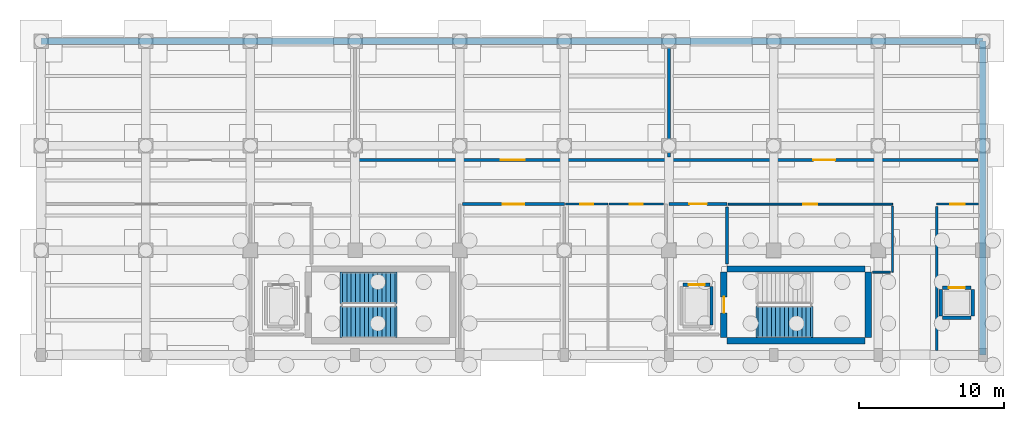
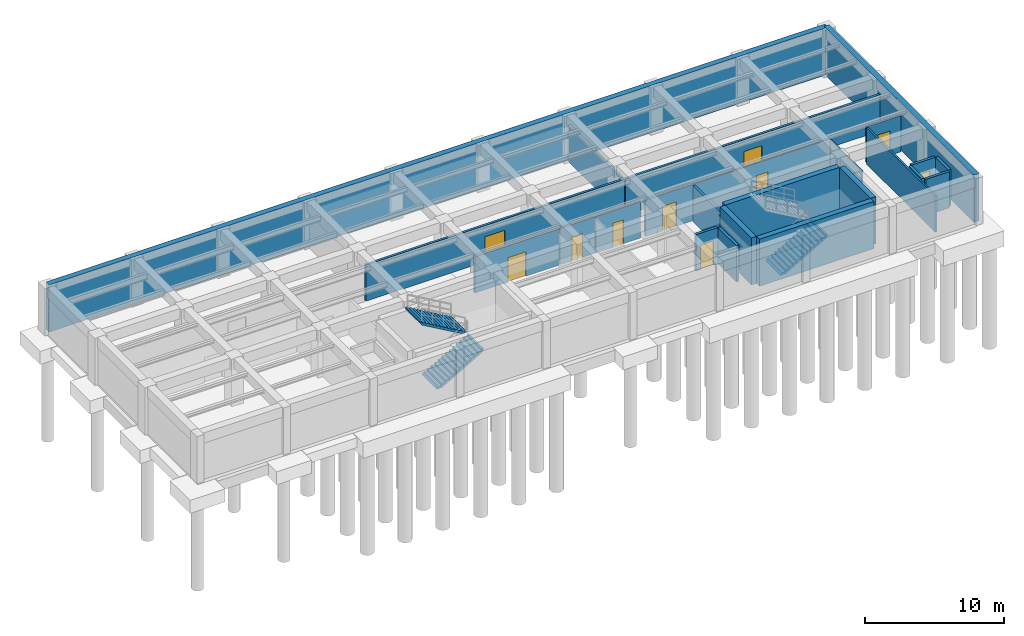
# One storey, part 4 of 8: 25 walls, 11 doors, 3 stair flights, 11 openings, 2 elements without a shape of their own.
"""IFC4 building model written with IfcOpenShell, lengths in metres."""

from ifc_helpers import new_model, si_unit, direction, frame, frame_2d, origin, place, context, subcontext, project, spatial, polyline, rectangle, outline, extrude, material, layer, layer_set, type_object, element, fill, aggregate, save


model = new_model("IFC4")

# Units and contexts
model_context = context("Model", 3, precision=1e-05, world=origin(), true_north=direction((0.0, 1.0)))
body_context = subcontext(model_context, "Body", "Model", "MODEL_VIEW")
ifc_project = project(units=[si_unit("LENGTHUNIT", "METRE"), si_unit("AREAUNIT", "SQUARE_METRE"), si_unit("VOLUMEUNIT", "CUBIC_METRE"), si_unit("PLANEANGLEUNIT", "RADIAN"), si_unit("MASSUNIT", "GRAM", prefix="KILO")], contexts=[model_context])

# Site, building, storey
site_placement = place(None, origin())
site = spatial("IfcSite", under=ifc_project, at=site_placement, CompositionType="ELEMENT")
building_placement = place(site_placement, origin())
building = spatial("IfcBuilding", under=site, at=building_placement, Name="Solenvale Faculty of Natural Sciences", CompositionType="ELEMENT")
storey_placement = place(building_placement, frame((0.0, 0.0, -9.0)))
storey = spatial("IfcBuildingStorey", under=building, at=storey_placement, Name="B02", CompositionType="ELEMENT", Elevation=-9.0)

# Wall, opening, door
ifc_material_1 = material(Name="Gypsum fire-rated shaftwall")
ifc_layer_1 = layer(ifc_material_1, 0.205078125)
ifc_layer_set_1 = layer_set([ifc_layer_1], Name="Gypsum fire-rated shaftwall")
wall_type_1 = type_object("IfcWallType", Name="WL-FFL-205", PredefinedType="PARTITIONING", material=ifc_layer_set_1)
wall_1_placement = place(storey_placement, frame((129.616943359375, 104.0, 0.0), z_axis=(0.0, 0.0, 1.0), x_axis=(1.0, 0.0, 0.0)))
wall_1 = element("IfcWall", 1, at=wall_1_placement, inside=storey, type_object=wall_type_1, Name="B02 Firefighting Lobby C5 Partition 2", PredefinedType="PARTITIONING", context=body_context, shape_type="SweptSolid", body=[
    extrude(rectangle(XDim=3.983154296875, YDim=0.205078125, at=frame_2d((1.99169921875, 0.0))), origin(), (0.0, 0.0, 1.0), 3.18994140625),
])
opening_1_placement = place(wall_1_placement, frame((1.39208984375, 0.0, 0.0)))
opening_1 = element("IfcOpeningElement", 2, at=opening_1_placement, cuts=wall_1, Name="Opening D-B02-02", PredefinedType="OPENING", context=body_context, shape_type="SweptSolid", body=[
    extrude(rectangle(XDim=1.199951171875, YDim=2.14990234375, at=frame_2d((0.60009765625, 1.074951171875))), frame((0.0, 0.112548828125, 0.0), z_axis=(0.0, -1.0, 0.0), x_axis=(1.0, 0.0, 0.0)), (0.0, 0.0, 1.0), 0.22509765625),
])
ifc_material_2 = material(Name="Galvanised steel S355", Category="steel")
door_type_1 = type_object("IfcDoorType", Name="DR-FFL-1200x2150", OperationType="NOTDEFINED", PredefinedType="DOOR", material=ifc_material_2)
door_1_placement = place(opening_1_placement, origin())
door_1 = element("IfcDoor", 3, at=door_1_placement, inside=storey, type_object=door_type_1, Name="B02 Firefighting Lobby C5 Door", OperationType="SINGLE_SWING_LEFT", OverallHeight=2.14990234375, OverallWidth=1.199951171875, PredefinedType="DOOR", context=body_context, shape_type="SweptSolid", body=[
    extrude(rectangle(XDim=1.199951171875, YDim=2.14990234375, at=frame_2d((0.60009765625, 1.074951171875))), frame((0.0, 0.02490234375, 0.0), z_axis=(0.0, -1.0, 0.0), x_axis=(1.0, 0.0, 0.0)), (0.0, 0.0, 1.0), 0.050048828125),
])
fill(opening_1, door_1)

# Wall
wall_2_placement = place(storey_placement, frame((133.60009765625, 103.782958984375, 0.0), z_axis=(0.0, 0.0, 1.0), x_axis=(0.0, -1.0, 0.0)))
element("IfcWall", 4, at=wall_2_placement, inside=storey, type_object=wall_type_1, Name="B02 Firefighting Lobby C5 Partition 3", PredefinedType="PARTITIONING", context=body_context, shape_type="SweptSolid", body=[
    extrude(rectangle(XDim=3.927978515625, YDim=0.205078125, at=frame_2d((1.9638671875, 0.0))), origin(), (0.0, 0.0, 1.0), 3.18994140625),
])

# Wall, opening, door
ifc_material_3 = material(Name="Acoustic stud gypsum partition")
ifc_layer_2 = layer(ifc_material_3, 0.132080078125)
ifc_layer_set_2 = layer_set([ifc_layer_2], Name="Acoustic stud gypsum partition")
wall_type_2 = type_object("IfcWallType", Name="WL-OFF-132", PredefinedType="PARTITIONING", material=ifc_layer_set_2)
wall_3_placement = place(storey_placement, frame((133.677978515625, 103.97998046875, 0.0), z_axis=(0.0, 0.0, 1.0), x_axis=(1.0, 0.0, 0.0)))
wall_3 = element("IfcWall", 5, at=wall_3_placement, inside=storey, type_object=wall_type_2, Name="B02 Building Electrical and Telecom Closet Partition 19", PredefinedType="PARTITIONING", context=body_context, shape_type="SweptSolid", body=[
    extrude(rectangle(XDim=11.302001953125, YDim=0.132080078125, at=frame_2d((5.65087890625, 0.0))), origin(), (0.0, 0.0, 1.0), 3.18994140625),
])
opening_2_placement = place(wall_3_placement, frame((5.1708984375, 0.0, 0.0)))
opening_2 = element("IfcOpeningElement", 6, at=opening_2_placement, cuts=wall_3, Name="Opening D-B02-10", PredefinedType="OPENING", context=body_context, shape_type="SweptSolid", body=[
    extrude(rectangle(XDim=0.9599609375, YDim=2.10009765625, at=frame_2d((0.47998046875, 1.050048828125))), frame((0.0, 0.075927734375, 0.0), z_axis=(0.0, -1.0, 0.0), x_axis=(1.0, 0.0, 0.0)), (0.0, 0.0, 1.0), 0.152099609375),
])
ifc_material_4 = material(Name="Oak acoustic timber leaf", Category="wood")
door_type_2 = type_object("IfcDoorType", Name="DR-OFF-0960x2100", OperationType="NOTDEFINED", PredefinedType="DOOR", material=ifc_material_4)
door_2_placement = place(opening_2_placement, origin())
door_2 = element("IfcDoor", 7, at=door_2_placement, inside=storey, type_object=door_type_2, Name="B02 Building Electrical and Telecom Closet Door", OperationType="SINGLE_SWING_LEFT", OverallHeight=2.10009765625, OverallWidth=0.9599609375, PredefinedType="DOOR", context=body_context, shape_type="SweptSolid", body=[
    extrude(rectangle(XDim=0.9599609375, YDim=2.10009765625, at=frame_2d((0.47998046875, 1.050048828125))), frame((0.0, 0.02490234375, 0.0), z_axis=(0.0, -1.0, 0.0), x_axis=(1.0, 0.0, 0.0)), (0.0, 0.0, 1.0), 0.050048828125),
])
fill(opening_2, door_2)

# Walls
wall_4_placement = place(storey_placement, frame((144.97998046875, 103.8359375, 0.0), z_axis=(0.0, 0.0, 1.0), x_axis=(0.0, -1.0, 0.0)))
element("IfcWall", 8, at=wall_4_placement, inside=storey, type_object=wall_type_2, Name="B02 Building Electrical and Telecom Closet Partition 20", PredefinedType="PARTITIONING", context=body_context, shape_type="SweptSolid", body=[
    extrude(rectangle(XDim=4.535888671875, YDim=0.132080078125, at=frame_2d((2.26806640625, 0.0))), origin(), (0.0, 0.0, 1.0), 3.18994140625),
])
wall_5_placement = place(storey_placement, frame((144.8359375, 99.300048828125, 0.0), z_axis=(0.0, 0.0, 1.0), x_axis=(-1.0, 0.0, 0.0)))
element("IfcWall", 9, at=wall_5_placement, inside=storey, type_object=wall_type_2, Name="B02 Building Electrical and Telecom Closet Partition 21", PredefinedType="PARTITIONING", context=body_context, shape_type="SweptSolid", body=[
    extrude(rectangle(XDim=1.218017578125, YDim=0.132080078125, at=frame_2d((0.60888671875, 0.0))), origin(), (0.0, 0.0, 1.0), 3.18994140625),
])

# Wall, opening, door
ifc_layer_3 = layer(ifc_material_3, 0.14794921875)
ifc_layer_set_3 = layer_set([ifc_layer_3], Name="Acoustic stud gypsum partition")
wall_type_3 = type_object("IfcWallType", Name="WL-OFF-148", PredefinedType="PARTITIONING", material=ifc_layer_set_3)
wall_6_placement = place(storey_placement, frame((148.02001953125, 103.97998046875, 0.0), z_axis=(0.0, 0.0, 1.0), x_axis=(1.0, 0.0, 0.0)))
wall_6 = element("IfcWall", 10, at=wall_6_placement, inside=storey, type_object=wall_type_3, Name="B02 Elevator Lobby Partition 1", PredefinedType="PARTITIONING", context=body_context, shape_type="SweptSolid", body=[
    extrude(rectangle(XDim=2.868896484375, YDim=0.14794921875, at=frame_2d((1.4345703125, 0.0))), origin(), (0.0, 0.0, 1.0), 3.18994140625),
])
opening_3_placement = place(wall_6_placement, frame((0.924072265625, 0.0, 0.0)))
opening_3 = element("IfcOpeningElement", 11, at=opening_3_placement, cuts=wall_6, Name="Opening D-B02-11", PredefinedType="OPENING", context=body_context, shape_type="SweptSolid", body=[
    extrude(rectangle(XDim=1.02001953125, YDim=2.14990234375, at=frame_2d((0.510009765625, 1.074951171875))), frame((0.0, 0.083984375, 0.0), z_axis=(0.0, -1.0, 0.0), x_axis=(1.0, 0.0, 0.0)), (0.0, 0.0, 1.0), 0.16796875),
])
door_type_3 = type_object("IfcDoorType", Name="DR-OFF-1020x2150", OperationType="NOTDEFINED", PredefinedType="DOOR", material=ifc_material_4)
door_3_placement = place(opening_3_placement, origin())
door_3 = element("IfcDoor", 12, at=door_3_placement, inside=storey, type_object=door_type_3, Name="B02 Elevator Lobby Door", OperationType="SINGLE_SWING_RIGHT", OverallHeight=2.14990234375, OverallWidth=1.02001953125, PredefinedType="DOOR", context=body_context, shape_type="SweptSolid", body=[
    extrude(rectangle(XDim=1.02001953125, YDim=2.14990234375, at=frame_2d((0.510009765625, 1.074951171875))), frame((0.0, 0.02490234375, 0.0), z_axis=(0.0, -1.0, 0.0), x_axis=(1.0, 0.0, 0.0)), (0.0, 0.0, 1.0), 0.050048828125),
])
fill(opening_3, door_3)

# Walls
wall_7_placement = place(storey_placement, frame((148.02001953125, 93.910888671875, 0.0), z_axis=(0.0, 0.0, 1.0), x_axis=(0.0, 1.0, 0.0)))
element("IfcWall", 13, at=wall_7_placement, inside=storey, type_object=wall_type_3, Name="B02 Elevator Lobby Partition 4", PredefinedType="PARTITIONING", context=body_context, shape_type="SweptSolid", body=[
    extrude(rectangle(XDim=9.9091796875, YDim=0.14794921875, at=frame_2d((4.95458984375, 0.0))), origin(), (0.0, 0.0, 1.0), 3.18994140625),
])
ifc_material_5 = material(Name="Concrete 40 MPa", Category="concrete")
ifc_layer_4 = layer(ifc_material_5, 0.449951171875)
ifc_layer_set_4 = layer_set([ifc_layer_4], Name="Concrete 40 MPa")
wall_type_4 = type_object("IfcWallType", Name="WL-RET-450", PredefinedType="SOLIDWALL", material=ifc_layer_set_4)
wall_8_placement = place(storey_placement, frame((151.199951171875, 93.60009765625, 0.0), z_axis=(0.0, 0.0, 1.0), x_axis=(0.0, 1.0, 0.0)))
element("IfcWall", 14, at=wall_8_placement, inside=storey, type_object=wall_type_4, Name="B02 Escarpment Retaining Wall 1", PredefinedType="SOLIDWALL", context=body_context, shape_type="SweptSolid", body=[
    extrude(rectangle(XDim=21.599853515625, YDim=0.449951171875, at=frame_2d((10.7998046875, 0.0))), origin(), (0.0, 0.0, 1.0), 4.14990234375),
])
wall_9_placement = place(storey_placement, frame((151.199951171875, 115.199951171875, 0.0), z_axis=(0.0, 0.0, 1.0), x_axis=(-1.0, 0.0, 0.0)))
element("IfcWall", 15, at=wall_9_placement, inside=storey, type_object=wall_type_4, Name="B02 Escarpment Retaining Wall 2", PredefinedType="SOLIDWALL", context=body_context, shape_type="SweptSolid", body=[
    extrude(rectangle(XDim=64.800048828125, YDim=0.449951171875, at=frame_2d((32.39990234375, 0.0))), origin(), (0.0, 0.0, 1.0), 4.14990234375),
])

# Wall, opening, door
ifc_layer_5 = layer(ifc_material_5, 0.219970703125)
ifc_layer_set_5 = layer_set([ifc_layer_5], Name="Concrete 40 MPa")
wall_type_5 = type_object("IfcWallType", Name="WL-SHF-220", PredefinedType="STANDARD", material=ifc_layer_set_5)
wall_10_placement = place(storey_placement, frame((130.580078125, 98.429931640625, 0.0), z_axis=(0.0, 0.0, 1.0), x_axis=(1.0, 0.0, 0.0)))
wall_10 = element("IfcWall", 16, at=wall_10_placement, inside=storey, type_object=wall_type_5, Name="Elevator LF-02 B02 Shaft Wall N", PredefinedType="STANDARD", context=body_context, shape_type="SweptSolid", body=[
    extrude(rectangle(XDim=1.83984375, YDim=0.219970703125, at=frame_2d((0.919921875, 0.0))), origin(), (0.0, 0.0, 1.0), 3.18994140625),
])
opening_4_placement = place(wall_10_placement, frame((0.3701171875, 0.0, 0.0)))
opening_4 = element("IfcOpeningElement", 17, at=opening_4_placement, cuts=wall_10, Name="Opening LD-LF-02-B02", PredefinedType="OPENING", context=body_context, shape_type="SweptSolid", body=[
    extrude(rectangle(XDim=1.10009765625, YDim=2.14990234375, at=frame_2d((0.550048828125, 1.074951171875))), frame((0.0, 0.119873046875, 0.0), z_axis=(0.0, -1.0, 0.0), x_axis=(1.0, 0.0, 0.0)), (0.0, 0.0, 1.0), 0.239990234375),
])
ifc_material_6 = material(Name="Stainless steel Grade 304", Category="steel")
door_type_4 = type_object("IfcDoorType", Name="DR-LIFT-1100x2150", OperationType="NOTDEFINED", PredefinedType="DOOR", material=ifc_material_6)
door_4_placement = place(opening_4_placement, origin())
door_4 = element("IfcDoor", 18, at=door_4_placement, inside=storey, type_object=door_type_4, Name="Elevator LF-02 B02 Sliding Landing Door", OperationType="SLIDING_TO_LEFT", OverallHeight=2.14990234375, OverallWidth=1.10009765625, PredefinedType="DOOR", context=body_context, shape_type="SweptSolid", body=[
    extrude(rectangle(XDim=1.10009765625, YDim=2.14990234375, at=frame_2d((0.550048828125, 1.074951171875))), frame((0.0, 0.02490234375, 0.0), z_axis=(0.0, -1.0, 0.0), x_axis=(1.0, 0.0, 0.0)), (0.0, 0.0, 1.0), 0.050048828125),
])
fill(opening_4, door_4)

# Walls
wall_11_placement = place(storey_placement, frame((132.530029296875, 95.679931640625, 0.0), z_axis=(0.0, 0.0, 1.0), x_axis=(0.0, 1.0, 0.0)))
element("IfcWall", 19, at=wall_11_placement, inside=storey, type_object=wall_type_5, Name="Elevator LF-02 B02 Shaft Wall E", PredefinedType="STANDARD", context=body_context, shape_type="SweptSolid", body=[
    extrude(rectangle(XDim=2.64013671875, YDim=0.219970703125, at=frame_2d((1.320068359375, 0.0))), origin(), (0.0, 0.0, 1.0), 3.18994140625),
])
wall_12_placement = place(storey_placement, frame((148.405029296875, 96.169921875, 0.0), z_axis=(0.0, 0.0, 1.0), x_axis=(1.0, 0.0, 0.0)))
element("IfcWall", 20, at=wall_12_placement, inside=storey, type_object=wall_type_5, Name="Elevator LP-03 B02 Shaft Wall S", PredefinedType="STANDARD", context=body_context, shape_type="SweptSolid", body=[
    extrude(rectangle(XDim=1.989990234375, YDim=0.219970703125, at=frame_2d((0.9951171875, 0.0))), origin(), (0.0, 0.0, 1.0), 3.18994140625),
])

# Wall, opening, door
wall_13_placement = place(storey_placement, frame((148.405029296875, 98.22998046875, 0.0), z_axis=(0.0, 0.0, 1.0), x_axis=(1.0, 0.0, 0.0)))
wall_13 = element("IfcWall", 21, at=wall_13_placement, inside=storey, type_object=wall_type_5, Name="Elevator LP-03 B02 Shaft Wall N", PredefinedType="STANDARD", context=body_context, shape_type="SweptSolid", body=[
    extrude(rectangle(XDim=1.989990234375, YDim=0.219970703125, at=frame_2d((0.9951171875, 0.0))), origin(), (0.0, 0.0, 1.0), 3.18994140625),
])
opening_5_placement = place(wall_13_placement, frame((0.445068359375, 0.0, 0.0)))
opening_5 = element("IfcOpeningElement", 22, at=opening_5_placement, cuts=wall_13, Name="Opening LD-LP-03-B02", PredefinedType="OPENING", context=body_context, shape_type="SweptSolid", body=[
    extrude(rectangle(XDim=1.10009765625, YDim=2.14990234375, at=frame_2d((0.550048828125, 1.074951171875))), frame((0.0, 0.119873046875, 0.0), z_axis=(0.0, -1.0, 0.0), x_axis=(1.0, 0.0, 0.0)), (0.0, 0.0, 1.0), 0.239990234375),
])
door_5_placement = place(opening_5_placement, origin())
door_5 = element("IfcDoor", 23, at=door_5_placement, inside=storey, type_object=door_type_4, Name="Elevator LP-03 B02 Sliding Landing Door", OperationType="SLIDING_TO_LEFT", OverallHeight=2.14990234375, OverallWidth=1.10009765625, PredefinedType="DOOR", context=body_context, shape_type="SweptSolid", body=[
    extrude(rectangle(XDim=1.10009765625, YDim=2.14990234375, at=frame_2d((0.550048828125, 1.074951171875))), frame((0.0, 0.02490234375, 0.0), z_axis=(0.0, -1.0, 0.0), x_axis=(1.0, 0.0, 0.0)), (0.0, 0.0, 1.0), 0.050048828125),
])
fill(opening_5, door_5)

# Walls
for number, where, z_axis, x_axis, name in (
    (24, (148.294921875, 96.280029296875, 0.0), (0.0, 0.0, 1.0), (0.0, 1.0, 0.0), "Elevator LP-03 B02 Shaft Wall W"),
    (25, (150.5048828125, 96.280029296875, 0.0), (0.0, 0.0, 1.0), (0.0, 1.0, 0.0), "Elevator LP-03 B02 Shaft Wall E"),
):
    element("IfcWall", number, at=place(storey_placement, frame(where, z_axis=z_axis, x_axis=x_axis)), inside=storey, type_object=wall_type_5, Name=name, PredefinedType="STANDARD", context=body_context, shape_type="SweptSolid", body=[
        extrude(rectangle(XDim=1.840087890625, YDim=0.219970703125, at=frame_2d((0.919921875, 0.0))), origin(), (0.0, 0.0, 1.0), 3.18994140625),
    ])
ifc_material_7 = material(Name="Concrete 50 MPa", Category="concrete")
ifc_layer_6 = layer(ifc_material_7, 0.43994140625)
ifc_layer_set_6 = layer_set([ifc_layer_6], Name="Concrete 50 MPa")
wall_type_6 = type_object("IfcWallType", Name="WL-SHR-440", PredefinedType="SHEAR", material=ifc_layer_set_6)
for number, where, z_axis, x_axis, name in (
    (26, (133.60009765625, 94.580078125, 0.0), (0.0, 0.0, 1.0), (1.0, 0.0, 0.0), "Core C5 B02 Shear Wall S"),
    (27, (133.60009765625, 99.52001953125, 0.0), (0.0, 0.0, 1.0), (1.0, 0.0, 0.0), "Core C5 B02 Shear Wall N"),
):
    element("IfcWall", number, at=place(storey_placement, frame(where, z_axis=z_axis, x_axis=x_axis)), inside=storey, type_object=wall_type_6, Name=name, PredefinedType="SHEAR", context=body_context, shape_type="SweptSolid", body=[
        extrude(rectangle(XDim=9.5, YDim=0.43994140625, at=frame_2d((4.75, 0.0))), origin(), (0.0, 0.0, 1.0), 4.14990234375),
    ])

# Wall, opening, door
wall_14_placement = place(storey_placement, frame((133.3798828125, 94.800048828125, 0.0), z_axis=(0.0, 0.0, 1.0), x_axis=(0.0, 1.0, 0.0)))
wall_14 = element("IfcWall", 28, at=wall_14_placement, inside=storey, type_object=wall_type_6, Name="Core C5 B02 Shear Wall W", PredefinedType="SHEAR", context=body_context, shape_type="SweptSolid", body=[
    extrude(rectangle(XDim=4.5, YDim=0.43994140625, at=frame_2d((2.25, 0.0))), origin(), (0.0, 0.0, 1.0), 4.14990234375),
])
opening_6_placement = place(wall_14_placement, frame((1.699951171875, 0.0, 0.0)))
opening_6 = element("IfcOpeningElement", 29, at=opening_6_placement, cuts=wall_14, Name="Opening DS-C5-B02", PredefinedType="OPENING", context=body_context, shape_type="SweptSolid", body=[
    extrude(rectangle(XDim=1.10009765625, YDim=2.14990234375, at=frame_2d((0.550048828125, 1.074951171875))), frame((0.0, 0.22998046875, 0.0), z_axis=(0.0, -1.0, 0.0), x_axis=(1.0, 0.0, 0.0)), (0.0, 0.0, 1.0), 0.4599609375),
])
door_type_5 = type_object("IfcDoorType", Name="DR-STAIR-1100x2150", OperationType="NOTDEFINED", PredefinedType="DOOR", material=ifc_material_2)
door_6_placement = place(opening_6_placement, origin())
door_6 = element("IfcDoor", 30, at=door_6_placement, inside=storey, type_object=door_type_5, Name="B02 Stair ST-05 Fire Door", OperationType="SINGLE_SWING_LEFT", OverallHeight=2.14990234375, OverallWidth=1.10009765625, PredefinedType="DOOR", context=body_context, shape_type="SweptSolid", body=[
    extrude(rectangle(XDim=1.10009765625, YDim=2.14990234375, at=frame_2d((0.550048828125, 1.074951171875))), frame((0.0, 0.02490234375, 0.0), z_axis=(0.0, -1.0, 0.0), x_axis=(1.0, 0.0, 0.0)), (0.0, 0.0, 1.0), 0.050048828125),
])
fill(opening_6, door_6)

# Wall
wall_15_placement = place(storey_placement, frame((143.320068359375, 94.800048828125, 0.0), z_axis=(0.0, 0.0, 1.0), x_axis=(0.0, 1.0, 0.0)))
element("IfcWall", 31, at=wall_15_placement, inside=storey, type_object=wall_type_6, Name="Core C5 B02 Shear Wall E", PredefinedType="SHEAR", context=body_context, shape_type="SweptSolid", body=[
    extrude(rectangle(XDim=4.5, YDim=0.43994140625, at=frame_2d((2.25, 0.0))), origin(), (0.0, 0.0, 1.0), 4.14990234375),
])

# Wall, opening, door
ifc_material_8 = material(Name="Concrete masonry 20 MPa", Category="masonry")
ifc_layer_7 = layer(ifc_material_8, 0.195068359375)
ifc_layer_set_7 = layer_set([ifc_layer_7], Name="Concrete masonry 20 MPa")
wall_type_7 = type_object("IfcWallType", Name="WL-STR-195", PredefinedType="PARTITIONING", material=ifc_layer_set_7)
wall_16_placement = place(storey_placement, frame((129.60009765625, 107.02001953125, 0.0), z_axis=(0.0, 0.0, 1.0), x_axis=(-1.0, 0.0, 0.0)))
wall_16 = element("IfcWall", 32, at=wall_16_placement, inside=storey, type_object=wall_type_7, Name="B02 Electrical Substation and Switchgear Room Partition 1", PredefinedType="PARTITIONING", context=body_context, shape_type="SweptSolid", body=[
    extrude(rectangle(XDim=21.4912109375, YDim=0.195068359375, at=frame_2d((10.74560546875, 0.0))), origin(), (0.0, 0.0, 1.0), 3.18994140625),
])
opening_7_placement = place(wall_16_placement, frame((9.9208984375, 0.0, 0.0)))
opening_7 = element("IfcOpeningElement", 33, at=opening_7_placement, cuts=wall_16, Name="Opening D-B02-04", PredefinedType="OPENING", context=body_context, shape_type="SweptSolid", body=[
    extrude(rectangle(XDim=1.64990234375, YDim=2.199951171875, at=frame_2d((0.824951171875, 1.10009765625))), frame((0.0, 0.107421875, 0.0), z_axis=(0.0, -1.0, 0.0), x_axis=(1.0, 0.0, 0.0)), (0.0, 0.0, 1.0), 0.215087890625),
])
door_type_6 = type_object("IfcDoorType", Name="DR-PLT-1650x2200", OperationType="NOTDEFINED", PredefinedType="DOOR", material=ifc_material_2)
door_7_placement = place(opening_7_placement, origin())
door_7 = element("IfcDoor", 34, at=door_7_placement, inside=storey, type_object=door_type_6, Name="B02 Electrical Substation and Switchgear Room Door", OperationType="SINGLE_SWING_LEFT", OverallHeight=2.199951171875, OverallWidth=1.64990234375, PredefinedType="DOOR", context=body_context, shape_type="SweptSolid", body=[
    extrude(rectangle(XDim=1.64990234375, YDim=2.199951171875, at=frame_2d((0.824951171875, 1.10009765625))), frame((0.0, 0.02490234375, 0.0), z_axis=(0.0, -1.0, 0.0), x_axis=(1.0, 0.0, 0.0)), (0.0, 0.0, 1.0), 0.050048828125),
])
fill(opening_7, door_7)

# Wall
wall_17_placement = place(storey_placement, frame((129.60009765625, 114.865966796875, 0.0), z_axis=(0.0, 0.0, 1.0), x_axis=(0.0, -1.0, 0.0)))
element("IfcWall", 35, at=wall_17_placement, inside=storey, type_object=wall_type_7, Name="B02 Electrical Substation and Switchgear Room Partition 4", PredefinedType="PARTITIONING", context=body_context, shape_type="SweptSolid", body=[
    extrude(rectangle(XDim=7.638916015625, YDim=0.195068359375, at=frame_2d((3.8193359375, 0.0))), origin(), (0.0, 0.0, 1.0), 3.18994140625),
])

# Wall, opening, door
wall_18_placement = place(storey_placement, frame((150.864990234375, 107.02001953125, 0.0), z_axis=(0.0, 0.0, 1.0), x_axis=(-1.0, 0.0, 0.0)))
wall_18 = element("IfcWall", 36, at=wall_18_placement, inside=storey, type_object=wall_type_7, Name="B02 Geothermal Heat-Recovery Plant Partition 1", PredefinedType="PARTITIONING", context=body_context, shape_type="SweptSolid", body=[
    extrude(rectangle(XDim=21.156005859375, YDim=0.195068359375, at=frame_2d((10.578125, 0.0))), origin(), (0.0, 0.0, 1.0), 3.18994140625),
])
opening_8_placement = place(wall_18_placement, frame((9.827880859375, 0.0, 0.0)))
opening_8 = element("IfcOpeningElement", 37, at=opening_8_placement, cuts=wall_18, Name="Opening D-B02-05", PredefinedType="OPENING", context=body_context, shape_type="SweptSolid", body=[
    extrude(rectangle(XDim=1.5, YDim=2.14990234375, at=frame_2d((0.75, 1.074951171875))), frame((0.0, 0.107421875, 0.0), z_axis=(0.0, -1.0, 0.0), x_axis=(1.0, 0.0, 0.0)), (0.0, 0.0, 1.0), 0.215087890625),
])
door_type_7 = type_object("IfcDoorType", Name="DR-PLT-1500x2150", OperationType="NOTDEFINED", PredefinedType="DOOR", material=ifc_material_2)
door_8_placement = place(opening_8_placement, origin())
door_8 = element("IfcDoor", 38, at=door_8_placement, inside=storey, type_object=door_type_7, Name="B02 Geothermal Heat-Recovery Plant Door", OperationType="SINGLE_SWING_RIGHT", OverallHeight=2.14990234375, OverallWidth=1.5, PredefinedType="DOOR", context=body_context, shape_type="SweptSolid", body=[
    extrude(rectangle(XDim=1.5, YDim=2.14990234375, at=frame_2d((0.75, 1.074951171875))), frame((0.0, 0.02490234375, 0.0), z_axis=(0.0, -1.0, 0.0), x_axis=(1.0, 0.0, 0.0)), (0.0, 0.0, 1.0), 0.050048828125),
])
fill(opening_8, door_8)

wall_19_placement = place(storey_placement, frame((115.406982421875, 103.97998046875, 0.0), z_axis=(0.0, 0.0, 1.0), x_axis=(1.0, 0.0, 0.0)))
wall_19 = element("IfcWall", 39, at=wall_19_placement, inside=storey, type_object=wall_type_7, Name="B02 Cryogenic and Isotope Specimen Store Partition 3", PredefinedType="PARTITIONING", context=body_context, shape_type="SweptSolid", body=[
    extrude(rectangle(XDim=6.992919921875, YDim=0.195068359375, at=frame_2d((3.49658203125, 0.0))), origin(), (0.0, 0.0, 1.0), 3.18994140625),
])
opening_9_placement = place(wall_19_placement, frame((2.7470703125, 0.0, 0.0)))
opening_9 = element("IfcOpeningElement", 40, at=opening_9_placement, cuts=wall_19, Name="Opening D-B02-07", PredefinedType="OPENING", context=body_context, shape_type="SweptSolid", body=[
    extrude(rectangle(XDim=1.5, YDim=2.14990234375, at=frame_2d((0.75, 1.074951171875))), frame((0.0, 0.107421875, 0.0), z_axis=(0.0, -1.0, 0.0), x_axis=(1.0, 0.0, 0.0)), (0.0, 0.0, 1.0), 0.215087890625),
])
door_9_placement = place(opening_9_placement, origin())
door_9 = element("IfcDoor", 41, at=door_9_placement, inside=storey, type_object=door_type_7, Name="B02 Cryogenic and Isotope Specimen Store Door", OperationType="SINGLE_SWING_RIGHT", OverallHeight=2.14990234375, OverallWidth=1.5, PredefinedType="DOOR", context=body_context, shape_type="SweptSolid", body=[
    extrude(rectangle(XDim=1.5, YDim=2.14990234375, at=frame_2d((0.75, 1.074951171875))), frame((0.0, 0.02490234375, 0.0), z_axis=(0.0, -1.0, 0.0), x_axis=(1.0, 0.0, 0.0)), (0.0, 0.0, 1.0), 0.050048828125),
])
fill(opening_9, door_9)

ifc_material_9 = material(Name="Moisture-resistant tile partition")
ifc_layer_8 = layer(ifc_material_9, 0.14990234375)
ifc_layer_set_8 = layer_set([ifc_layer_8], Name="Moisture-resistant tile partition")
wall_type_8 = type_object("IfcWallType", Name="WL-WC-150", PredefinedType="PARTITIONING", material=ifc_layer_set_8)
wall_20_placement = place(storey_placement, frame((122.487060546875, 103.97998046875, 0.0), z_axis=(0.0, 0.0, 1.0), x_axis=(1.0, 0.0, 0.0)))
wall_20 = element("IfcWall", 42, at=wall_20_placement, inside=storey, type_object=wall_type_8, Name="B02 Staff Washroom Partition 3", PredefinedType="PARTITIONING", context=body_context, shape_type="SweptSolid", body=[
    extrude(rectangle(XDim=2.912841796875, YDim=0.14990234375, at=frame_2d((1.45654296875, 0.0))), origin(), (0.0, 0.0, 1.0), 3.18994140625),
])
opening_10_placement = place(wall_20_placement, frame((1.007080078125, 0.0, 0.0)))
opening_10 = element("IfcOpeningElement", 43, at=opening_10_placement, cuts=wall_20, Name="Opening D-B02-08", PredefinedType="OPENING", context=body_context, shape_type="SweptSolid", body=[
    extrude(rectangle(XDim=0.89990234375, YDim=2.10009765625, at=frame_2d((0.449951171875, 1.050048828125))), frame((0.0, 0.0849609375, 0.0), z_axis=(0.0, -1.0, 0.0), x_axis=(1.0, 0.0, 0.0)), (0.0, 0.0, 1.0), 0.169921875),
])
door_type_8 = type_object("IfcDoorType", Name="DR-WC-0900x2100", OperationType="NOTDEFINED", PredefinedType="DOOR", material=ifc_material_4)
door_10_placement = place(opening_10_placement, origin())
door_10 = element("IfcDoor", 44, at=door_10_placement, inside=storey, type_object=door_type_8, Name="B02 Staff Washroom Door", OperationType="SINGLE_SWING_LEFT", OverallHeight=2.10009765625, OverallWidth=0.89990234375, PredefinedType="DOOR", context=body_context, shape_type="SweptSolid", body=[
    extrude(rectangle(XDim=0.89990234375, YDim=2.10009765625, at=frame_2d((0.449951171875, 1.050048828125))), frame((0.0, 0.02490234375, 0.0), z_axis=(0.0, -1.0, 0.0), x_axis=(1.0, 0.0, 0.0)), (0.0, 0.0, 1.0), 0.050048828125),
])
fill(opening_10, door_10)

wall_21_placement = place(storey_placement, frame((125.487060546875, 103.97998046875, 0.0), z_axis=(0.0, 0.0, 1.0), x_axis=(1.0, 0.0, 0.0)))
wall_21 = element("IfcWall", 45, at=wall_21_placement, inside=storey, type_object=wall_type_8, Name="B02 Accessible Washroom Partition 3", PredefinedType="PARTITIONING", context=body_context, shape_type="SweptSolid", body=[
    extrude(rectangle(XDim=3.723876953125, YDim=0.14990234375, at=frame_2d((1.86181640625, 0.0))), origin(), (0.0, 0.0, 1.0), 3.18994140625),
])
opening_11_placement = place(wall_21_placement, frame((1.422119140625, 0.0, 0.0)))
opening_11 = element("IfcOpeningElement", 46, at=opening_11_placement, cuts=wall_21, Name="Opening D-B02-09", PredefinedType="OPENING", context=body_context, shape_type="SweptSolid", body=[
    extrude(rectangle(XDim=0.8798828125, YDim=2.10009765625, at=frame_2d((0.43994140625, 1.050048828125))), frame((0.0, 0.0849609375, 0.0), z_axis=(0.0, -1.0, 0.0), x_axis=(1.0, 0.0, 0.0)), (0.0, 0.0, 1.0), 0.169921875),
])
door_type_9 = type_object("IfcDoorType", Name="DR-WC-0880x2100", OperationType="NOTDEFINED", PredefinedType="DOOR", material=ifc_material_4)
door_11_placement = place(opening_11_placement, origin())
door_11 = element("IfcDoor", 47, at=door_11_placement, inside=storey, type_object=door_type_9, Name="B02 Accessible Washroom Door", OperationType="SINGLE_SWING_RIGHT", OverallHeight=2.10009765625, OverallWidth=0.8798828125, PredefinedType="DOOR", context=body_context, shape_type="SweptSolid", body=[
    extrude(rectangle(XDim=0.8798828125, YDim=2.10009765625, at=frame_2d((0.43994140625, 1.050048828125))), frame((0.0, 0.02490234375, 0.0), z_axis=(0.0, -1.0, 0.0), x_axis=(1.0, 0.0, 0.0)), (0.0, 0.0, 1.0), 0.050048828125),
])
fill(opening_11, door_11)

# Stair, stair flights
stair_type = type_object("IfcStairType", Name="STR-CORE-25R", PredefinedType="DOUBLE_RETURN_STAIR", material=ifc_material_5)
stair_1_placement = place(storey_placement, origin())
stair_1 = element("IfcStair", 48, at=stair_1_placement, inside=storey, type_object=stair_type, Name="B02 Protected Exit Stair ST-04", PredefinedType="DOUBLE_RETURN_STAIR")
stair_flight_type = type_object("IfcStairFlightType", Name="SFL-RC-25R", PredefinedType="STRAIGHT", material=ifc_material_5)
stair_flight_1_placement = place(storey_placement, frame((107.139892578125, 95.875, 0.0), z_axis=(0.0, 0.0, 1.0), x_axis=(1.0, 0.0, 0.0)))
stair_flight_1 = element("IfcStairFlight", 49, at=stair_flight_1_placement, type_object=stair_flight_type, Name="ST-04 flight 1", NumberOfRisers=13, NumberOfTreads=12, PredefinedType="STRAIGHT", RiserHeight=0.173076923, TreadLength=0.3, context=body_context, shape_type="SweptSolid", body=[
    extrude(outline(polyline([(-0.159912109375, 0.0), (0.0, 0.173095703125), (0.300048828125, 0.173095703125), (0.300048828125, 0.34619140625), (0.60009765625, 0.34619140625), (0.60009765625, 0.519287109375), (0.89990234375, 0.519287109375), (0.89990234375, 0.6923828125), (1.199951171875, 0.6923828125), (1.199951171875, 0.865478515625), (1.5, 0.865478515625), (1.5, 1.03857421875), (1.800048828125, 1.03857421875), (1.800048828125, 1.21142578125), (2.10009765625, 1.21142578125), (2.10009765625, 1.384521484375), (2.39990234375, 1.384521484375), (2.39990234375, 1.5576171875), (2.699951171875, 1.5576171875), (2.699951171875, 1.730712890625), (3.0, 1.730712890625), (3.0, 1.90380859375), (3.300048828125, 1.90380859375), (3.300048828125, 2.076904296875), (3.60009765625, 2.076904296875), (3.60009765625, 2.25), (3.760009765625, 2.25), (3.760009765625, 2.10009765625), (3.60009765625, 1.90380859375), (0.300048828125, 0.0), (-0.159912109375, 0.0)])), frame((0.0, 1.074951171875, 0.0), z_axis=(0.0, -1.0, 0.0), x_axis=(1.0, 0.0, 0.0)), (0.0, 0.0, 1.0), 2.14990234375),
])
stair_flight_2_placement = place(storey_placement, frame((110.739990234375, 98.22509765625, 2.25), z_axis=(0.0, 0.0, 1.0), x_axis=(-1.0, 0.0, 0.0)))
stair_flight_2 = element("IfcStairFlight", 50, at=stair_flight_2_placement, type_object=stair_flight_type, Name="ST-04 flight 2", NumberOfRisers=13, NumberOfTreads=12, PredefinedType="STRAIGHT", RiserHeight=0.173076923, TreadLength=0.3, context=body_context, shape_type="SweptSolid", body=[
    extrude(outline(polyline([(-0.159912109375, 0.0), (0.0, 0.173095703125), (0.300048828125, 0.173095703125), (0.300048828125, 0.34619140625), (0.60009765625, 0.34619140625), (0.60009765625, 0.519287109375), (0.89990234375, 0.519287109375), (0.89990234375, 0.6923828125), (1.199951171875, 0.6923828125), (1.199951171875, 0.865478515625), (1.5, 0.865478515625), (1.5, 1.03857421875), (1.800048828125, 1.03857421875), (1.800048828125, 1.21142578125), (2.10009765625, 1.21142578125), (2.10009765625, 1.384521484375), (2.39990234375, 1.384521484375), (2.39990234375, 1.5576171875), (2.699951171875, 1.5576171875), (2.699951171875, 1.730712890625), (3.0, 1.730712890625), (3.0, 1.90380859375), (3.300048828125, 1.90380859375), (3.300048828125, 2.076904296875), (3.60009765625, 2.076904296875), (3.60009765625, 2.25), (3.760009765625, 2.25), (3.760009765625, 2.10009765625), (3.60009765625, 1.90380859375), (0.300048828125, 0.0), (-0.159912109375, 0.0)])), frame((0.0, 1.074951171875, 0.0), z_axis=(0.0, -1.0, 0.0), x_axis=(1.0, 0.0, 0.0)), (0.0, 0.0, 1.0), 2.14990234375),
])
aggregate(stair_1, [stair_flight_1, stair_flight_2])

# Stair, stair flight
stair_2_placement = place(storey_placement, origin())
stair_2 = element("IfcStair", 51, at=stair_2_placement, inside=storey, type_object=stair_type, Name="B02 Protected Exit Stair ST-05", PredefinedType="DOUBLE_RETURN_STAIR")
stair_flight_3_placement = place(storey_placement, frame((135.739990234375, 95.875, 0.0), z_axis=(0.0, 0.0, 1.0), x_axis=(1.0, 0.0, 0.0)))
stair_flight_3 = element("IfcStairFlight", 52, at=stair_flight_3_placement, type_object=stair_flight_type, Name="ST-05 flight 1", NumberOfRisers=13, NumberOfTreads=12, PredefinedType="STRAIGHT", RiserHeight=0.173076923, TreadLength=0.3, context=body_context, shape_type="SweptSolid", body=[
    extrude(outline(polyline([(-0.159912109375, 0.0), (0.0, 0.173095703125), (0.300048828125, 0.173095703125), (0.300048828125, 0.34619140625), (0.60009765625, 0.34619140625), (0.60009765625, 0.519287109375), (0.89990234375, 0.519287109375), (0.89990234375, 0.6923828125), (1.199951171875, 0.6923828125), (1.199951171875, 0.865478515625), (1.5, 0.865478515625), (1.5, 1.03857421875), (1.800048828125, 1.03857421875), (1.800048828125, 1.21142578125), (2.10009765625, 1.21142578125), (2.10009765625, 1.384521484375), (2.39990234375, 1.384521484375), (2.39990234375, 1.5576171875), (2.699951171875, 1.5576171875), (2.699951171875, 1.730712890625), (3.0, 1.730712890625), (3.0, 1.90380859375), (3.300048828125, 1.90380859375), (3.300048828125, 2.076904296875), (3.60009765625, 2.076904296875), (3.60009765625, 2.25), (3.760009765625, 2.25), (3.760009765625, 2.10009765625), (3.60009765625, 1.90380859375), (0.300048828125, 0.0), (-0.159912109375, 0.0)])), frame((0.0, 1.074951171875, 0.0), z_axis=(0.0, -1.0, 0.0), x_axis=(1.0, 0.0, 0.0)), (0.0, 0.0, 1.0), 2.14990234375),
])
aggregate(stair_2, [stair_flight_3])

save(model, "model.ifc")
